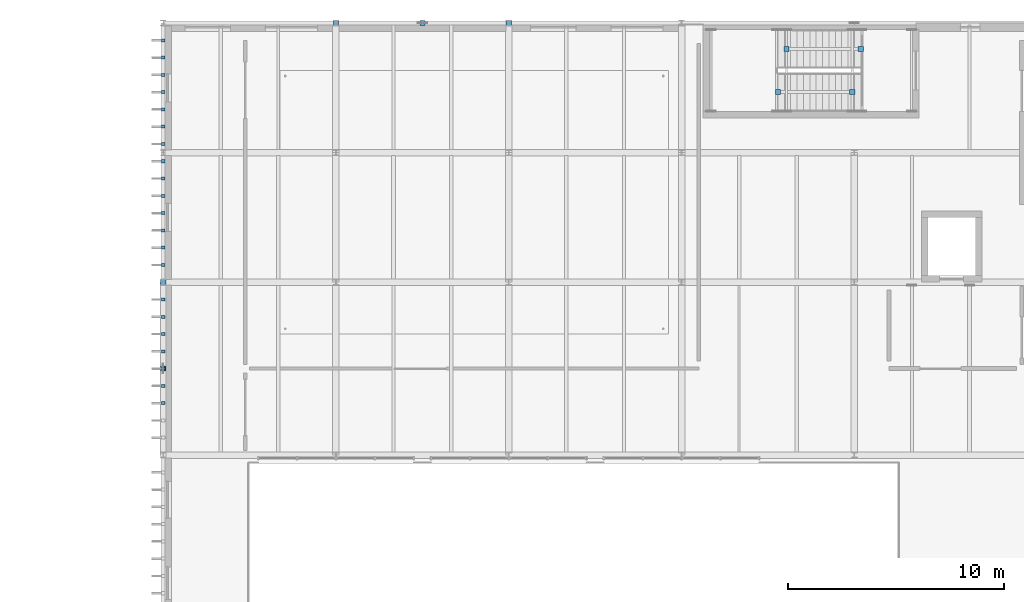
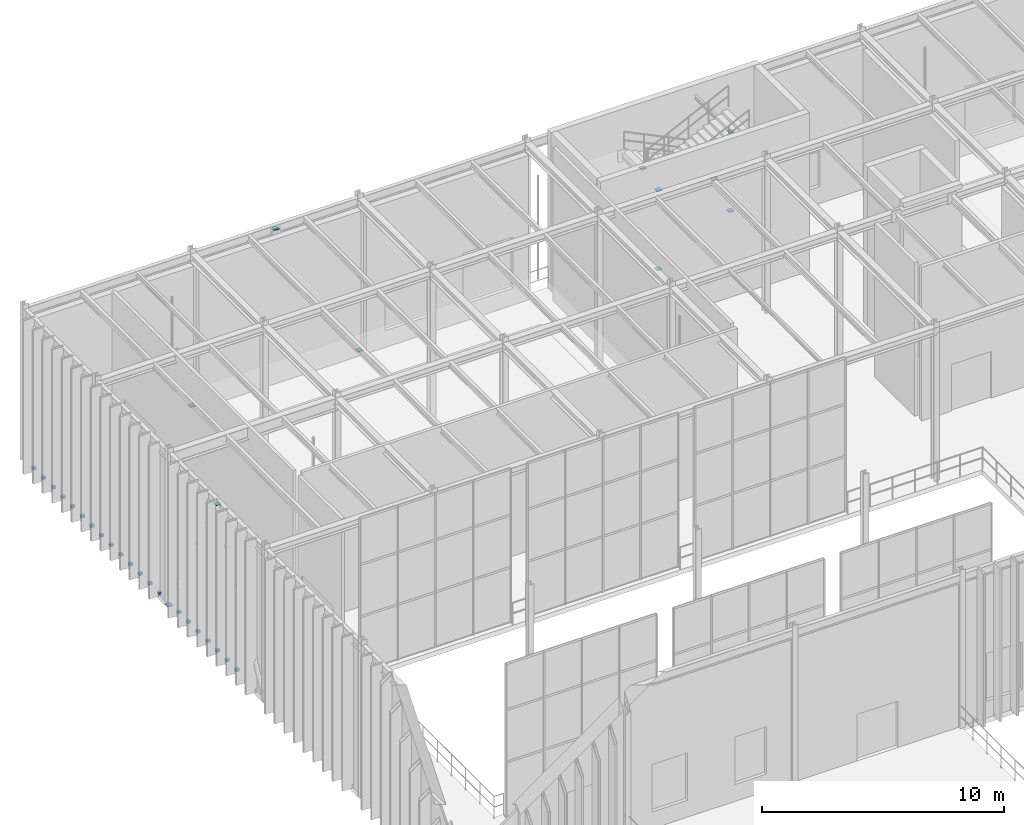
# One storey, part 121 of 138: 32 discrete accessories.
"""IFC4 building model written with IfcOpenShell, lengths in metres."""

from ifc_helpers import new_model, si_unit, direction, frame, origin, origin_2d, place, context, subcontext, project, spatial, rectangle, extrude, material, type_object, element, save


model = new_model("IFC4")

# Units and contexts
model_context = context("Model", 3, precision=1e-05, world=origin(), true_north=direction((0.0, 1.0)))
body_context = subcontext(model_context, "Body", "Model", "MODEL_VIEW")
ifc_project = project(units=[si_unit("LENGTHUNIT", "METRE"), si_unit("AREAUNIT", "SQUARE_METRE"), si_unit("VOLUMEUNIT", "CUBIC_METRE"), si_unit("PLANEANGLEUNIT", "RADIAN"), si_unit("MASSUNIT", "GRAM", prefix="KILO")], contexts=[model_context])

# Site, building, storey
site_placement = place(None, origin())
site = spatial("IfcSite", under=ifc_project, at=site_placement, CompositionType="ELEMENT")
building_placement = place(site_placement, origin())
building = spatial("IfcBuilding", under=site, at=building_placement, Name="Sundkrona Museum", CompositionType="ELEMENT")
storey_placement = place(building_placement, frame((0.0, 0.0, 9.60009765625)))
storey = spatial("IfcBuildingStorey", under=building, at=storey_placement, Name="L02", CompositionType="ELEMENT", Elevation=9.60009765625)

# Discrete accessories
ifc_material = material(Name="Stainless Steel EN 1.4404 Cleat", Category="steel")
discrete_accessory_type = type_object("IfcDiscreteAccessoryType", Name="BRK-FIN-01", PredefinedType="BRACKET", material=ifc_material)
for number, where, z_axis, x_axis, name in (
    (1, (24.0, 114.0, -0.012451171875), (0.0, 0.0, 1.0), (1.0, 0.0, 0.0), "Brace and Strut End Connection Plate BR-L02-016A-1"),
    (2, (28.0, 114.0, 7.52734375), (0.0, 0.0, 1.0), (1.0, 0.0, 0.0), "Brace and Strut End Connection Plate BR-L02-016A-2"),
    (3, (32.0, 114.0, -0.012451171875), (0.0, 0.0, 1.0), (1.0, 0.0, 0.0), "Brace and Strut End Connection Plate BR-L02-016B-1"),
    (4, (16.0, 98.0, 7.52734375), (0.0, 0.0, 1.0), (1.0, 0.0, 0.0), "Brace and Strut End Connection Plate BR-L02-023A-2"),
    (5, (16.0, 102.0, -0.012451171875), (0.0, 0.0, 1.0), (1.0, 0.0, 0.0), "Brace and Strut End Connection Plate BR-L02-023B-1"),
    (6, (44.465087890625, 110.800048828125, 1.66748046875), (0.0, 0.0, 1.0), (1.0, 0.0, 0.0), "Brace and Strut End Connection Plate RK-ST-ST-3-L02-2-1"),
    (7, (47.89990234375, 110.800048828125, 3.411376953125), (0.0, 0.0, 1.0), (1.0, 0.0, 0.0), "Brace and Strut End Connection Plate RK-ST-ST-3-L02-2-2"),
    (8, (48.300048828125, 112.800048828125, 3.66748046875), (0.0, 0.0, 1.0), (1.0, 0.0, 0.0), "Brace and Strut End Connection Plate RK-ST-ST-3-L02-3-1"),
    (9, (44.864990234375, 112.800048828125, 5.411376953125), (0.0, 0.0, 1.0), (1.0, 0.0, 0.0), "Brace and Strut End Connection Plate RK-ST-ST-3-L02-3-2"),
    (10, (44.465087890625, 110.800048828125, 5.66748046875), (0.0, 0.0, 1.0), (1.0, 0.0, 0.0), "Brace and Strut End Connection Plate RK-ST-ST-3-L02-4-1"),
    (11, (47.89990234375, 110.800048828125, 7.411376953125), (0.0, 0.0, 1.0), (1.0, 0.0, 0.0), "Brace and Strut End Connection Plate RK-ST-ST-3-L02-4-2"),
):
    element("IfcDiscreteAccessory", number, at=place(storey_placement, frame(where, z_axis=z_axis, x_axis=x_axis)), inside=storey, type_object=discrete_accessory_type, Name=name, PredefinedType="BRACKET", context=body_context, shape_type="SweptSolid", body=[
        extrude(rectangle(XDim=0.239990234375, YDim=0.239990234375, at=origin_2d()), origin(), (0.0, 0.0, 1.0), 0.02490234375),
    ])
for number, where, z_axis, x_axis, name in (
    (12, (16.0, 96.39990234375, 0.059814453125), (0.0, 0.0, 1.0), (1.0, 0.0, 0.0), "L02 Fin Bracket W-197"),
    (13, (16.0, 97.199951171875, 0.059814453125), (0.0, 0.0, 1.0), (1.0, 0.0, 0.0), "L02 Fin Bracket W-198"),
    (14, (16.0, 98.0, 0.059814453125), (0.0, 0.0, 1.0), (1.0, 0.0, 0.0), "L02 Fin Bracket W-199"),
    (15, (16.0, 98.800048828125, 0.059814453125), (0.0, 0.0, 1.0), (1.0, 0.0, 0.0), "L02 Fin Bracket W-200"),
    (16, (16.0, 99.60009765625, 0.059814453125), (0.0, 0.0, 1.0), (1.0, 0.0, 0.0), "L02 Fin Bracket W-201"),
    (17, (16.0, 100.39990234375, 0.059814453125), (0.0, 0.0, 1.0), (1.0, 0.0, 0.0), "L02 Fin Bracket W-202"),
    (18, (16.0, 101.199951171875, 0.059814453125), (0.0, 0.0, 1.0), (1.0, 0.0, 0.0), "L02 Fin Bracket W-203"),
    (19, (16.0, 102.800048828125, 0.059814453125), (0.0, 0.0, 1.0), (1.0, 0.0, 0.0), "L02 Fin Bracket W-204"),
    (20, (16.0, 103.60009765625, 0.059814453125), (0.0, 0.0, 1.0), (1.0, 0.0, 0.0), "L02 Fin Bracket W-205"),
    (21, (16.0, 104.39990234375, 0.059814453125), (0.0, 0.0, 1.0), (1.0, 0.0, 0.0), "L02 Fin Bracket W-206"),
    (22, (16.0, 105.199951171875, 0.059814453125), (0.0, 0.0, 1.0), (1.0, 0.0, 0.0), "L02 Fin Bracket W-207"),
    (23, (16.0, 106.0, 0.059814453125), (0.0, 0.0, 1.0), (1.0, 0.0, 0.0), "L02 Fin Bracket W-208"),
    (24, (16.0, 106.800048828125, 0.059814453125), (0.0, 0.0, 1.0), (1.0, 0.0, 0.0), "L02 Fin Bracket W-209"),
    (25, (16.0, 107.60009765625, 0.059814453125), (0.0, 0.0, 1.0), (1.0, 0.0, 0.0), "L02 Fin Bracket W-210"),
    (26, (16.0, 108.39990234375, 0.059814453125), (0.0, 0.0, 1.0), (1.0, 0.0, 0.0), "L02 Fin Bracket W-211"),
    (27, (16.0, 109.199951171875, 0.059814453125), (0.0, 0.0, 1.0), (1.0, 0.0, 0.0), "L02 Fin Bracket W-212"),
    (28, (16.0, 110.0, 0.059814453125), (0.0, 0.0, 1.0), (1.0, 0.0, 0.0), "L02 Fin Bracket W-213"),
    (29, (16.0, 110.800048828125, 0.059814453125), (0.0, 0.0, 1.0), (1.0, 0.0, 0.0), "L02 Fin Bracket W-214"),
    (30, (16.0, 111.60009765625, 0.059814453125), (0.0, 0.0, 1.0), (1.0, 0.0, 0.0), "L02 Fin Bracket W-215"),
    (31, (16.0, 112.39990234375, 0.059814453125), (0.0, 0.0, 1.0), (1.0, 0.0, 0.0), "L02 Fin Bracket W-216"),
    (32, (16.0, 113.199951171875, 0.059814453125), (0.0, 0.0, 1.0), (1.0, 0.0, 0.0), "L02 Fin Bracket W-217"),
):
    element("IfcDiscreteAccessory", number, at=place(storey_placement, frame(where, z_axis=z_axis, x_axis=x_axis)), inside=storey, type_object=discrete_accessory_type, Name=name, PredefinedType="BRACKET", context=body_context, shape_type="SweptSolid", body=[
        extrude(rectangle(XDim=0.159912109375, YDim=0.139892578125, at=origin_2d()), origin(), (0.0, 0.0, 1.0), 0.1201171875),
    ])

save(model, "model.ifc")
